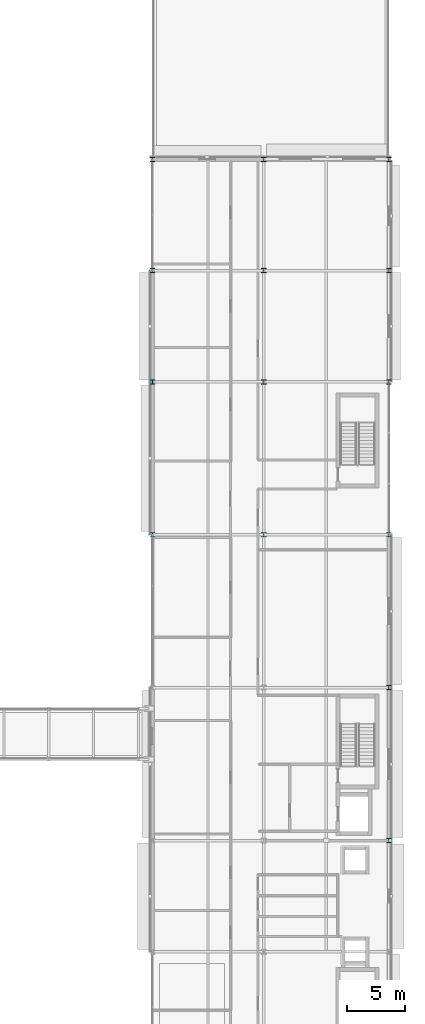
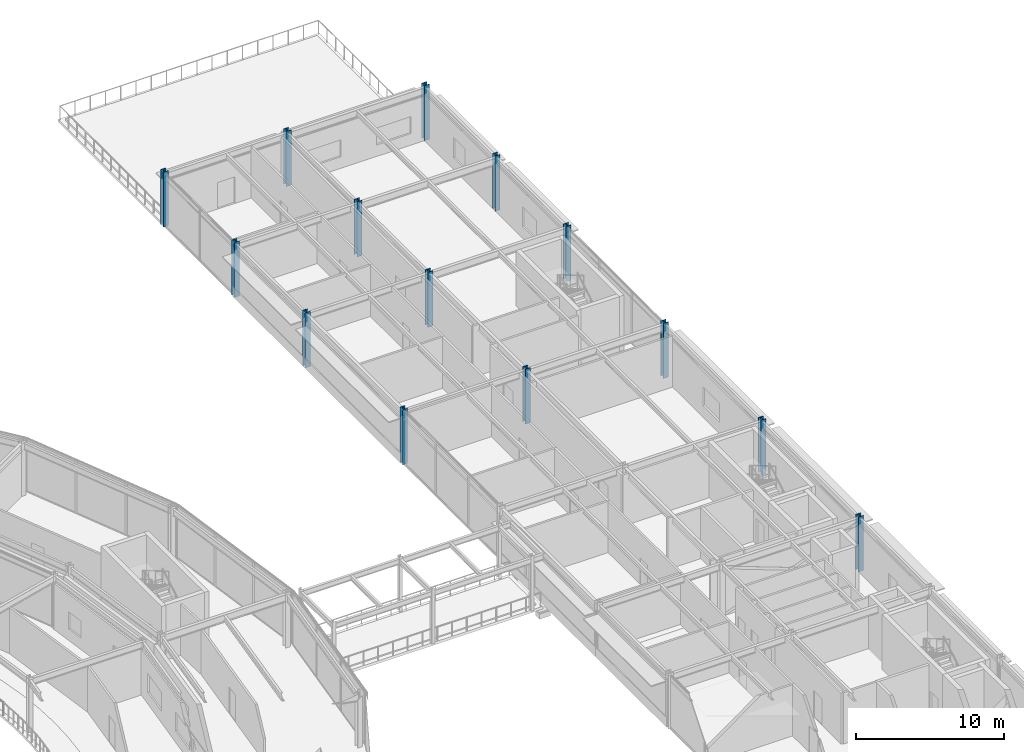
# One storey, part 20 of 157: 14 columns.
"""IFC4 building model written with IfcOpenShell, lengths in metres."""

from ifc_helpers import new_model, si_unit, direction, frame, origin, origin_2d, place, context, subcontext, project, spatial, i_section, extrude, material, material_profile, profile_set, type_object, element, save


model = new_model("IFC4")

# Units and contexts
model_context = context("Model", 3, precision=1e-05, world=origin(), true_north=direction((0.0, 1.0)))
body_context = subcontext(model_context, "Body", "Model", "MODEL_VIEW")
ifc_project = project(units=[si_unit("LENGTHUNIT", "METRE"), si_unit("AREAUNIT", "SQUARE_METRE"), si_unit("VOLUMEUNIT", "CUBIC_METRE"), si_unit("PLANEANGLEUNIT", "RADIAN"), si_unit("MASSUNIT", "GRAM", prefix="KILO")], contexts=[model_context])

# Site, building, storey
site_placement = place(None, origin())
site = spatial("IfcSite", under=ifc_project, at=site_placement, CompositionType="ELEMENT")
building_placement = place(site_placement, origin())
building = spatial("IfcBuilding", under=site, at=building_placement, Name="Almandine Court Research Institute", CompositionType="ELEMENT")
storey_placement = place(building_placement, frame((0.0, 0.0, 5.25)))
storey = spatial("IfcBuildingStorey", under=building, at=storey_placement, Name="L01", CompositionType="ELEMENT", Elevation=5.25)

# Columns
ifc_material = material(Name="Steel ASTM A992 Grade 50", Category="steel")
ifc_material_profile_1 = material_profile(ifc_material, i_section(OverallWidth=0.39794921875, OverallDepth=0.386962890625, WebThickness=0.02392578125, FlangeThickness=0.0390625, at=origin_2d()), Name="W360x262")
ifc_profile_set_1 = profile_set([ifc_material_profile_1], Name="Steel ASTM A992 Grade 50")
column_type_1 = type_object("IfcColumnType", Name="Col-C-W01", PredefinedType="COLUMN", material=ifc_profile_set_1)
for number, where, z_axis, x_axis, name in (
    (1, (153.60009765625, 70.800048828125, 0.0), (0.0, 0.0, 1.0), (1.0, 0.0, 0.0), "L01 V4 Column V4-X2Y7"),
    (2, (153.60009765625, 84.0, 0.0), (0.0, 0.0, 1.0), (1.0, 0.0, 0.0), "L01 V4 Column V4-X2Y8"),
    (3, (153.60009765625, 93.60009765625, 0.0), (0.0, 0.0, 1.0), (1.0, 0.0, 0.0), "L01 V4 Column V4-X2Y9"),
    (4, (153.60009765625, 103.199951171875, 0.0), (0.0, 0.0, 1.0), (1.0, 0.0, 0.0), "L01 V4 Column V4-X2Y10"),
    (5, (163.199951171875, 70.800048828125, 0.0), (0.0, 0.0, 1.0), (1.0, 0.0, 0.0), "L01 V4 Column V4-X3Y7"),
    (6, (163.199951171875, 84.0, 0.0), (0.0, 0.0, 1.0), (1.0, 0.0, 0.0), "L01 V4 Column V4-X3Y8"),
    (7, (163.199951171875, 93.60009765625, 0.0), (0.0, 0.0, 1.0), (1.0, 0.0, 0.0), "L01 V4 Column V4-X3Y9"),
    (8, (163.199951171875, 103.199951171875, 0.0), (0.0, 0.0, 1.0), (1.0, 0.0, 0.0), "L01 V4 Column V4-X3Y10"),
):
    element("IfcColumn", number, at=place(storey_placement, frame(where, z_axis=z_axis, x_axis=x_axis)), inside=storey, type_object=column_type_1, Name=name, PredefinedType="COLUMN", context=body_context, shape_type="SweptSolid", body=[
        extrude(i_section(OverallWidth=0.39794921875, OverallDepth=0.386962890625, WebThickness=0.02392578125, FlangeThickness=0.0390625, at=origin_2d()), origin(), (0.0, 0.0, 1.0), 4.550048828125),
    ])
ifc_material_profile_2 = material_profile(ifc_material, i_section(OverallWidth=0.39794921875, OverallDepth=0.386962890625, WebThickness=0.02392578125, FlangeThickness=0.0390625, at=origin_2d()), Name="W360x262")
ifc_profile_set_2 = profile_set([ifc_material_profile_2], Name="Steel ASTM A992 Grade 50")
column_type_2 = type_object("IfcColumnType", Name="Col-C-W01-E", PredefinedType="COLUMN", material=ifc_profile_set_2)
for number, where, z_axis, x_axis, name in (
    (9, (174.0, 44.39990234375, 0.0), (0.0, 0.0, 1.0), (1.0, 0.0, 0.0), "L01 V4 Column V4-X4Y5"),
    (10, (174.0, 57.60009765625, 0.0), (0.0, 0.0, 1.0), (1.0, 0.0, 0.0), "L01 V4 Column V4-X4Y6"),
    (11, (174.0, 70.800048828125, 0.0), (0.0, 0.0, 1.0), (1.0, 0.0, 0.0), "L01 V4 Column V4-X4Y7"),
    (12, (174.0, 84.0, 0.0), (0.0, 0.0, 1.0), (1.0, 0.0, 0.0), "L01 V4 Column V4-X4Y8"),
    (13, (174.0, 93.60009765625, 0.0), (0.0, 0.0, 1.0), (1.0, 0.0, 0.0), "L01 V4 Column V4-X4Y9"),
    (14, (174.0, 103.199951171875, 0.0), (0.0, 0.0, 1.0), (1.0, 0.0, 0.0), "L01 V4 Column V4-X4Y10"),
):
    element("IfcColumn", number, at=place(storey_placement, frame(where, z_axis=z_axis, x_axis=x_axis)), inside=storey, type_object=column_type_2, Name=name, PredefinedType="COLUMN", context=body_context, shape_type="SweptSolid", body=[
        extrude(i_section(OverallWidth=0.39794921875, OverallDepth=0.386962890625, WebThickness=0.02392578125, FlangeThickness=0.0390625, at=origin_2d()), origin(), (0.0, 0.0, 1.0), 4.550048828125),
    ])

save(model, "model.ifc")
